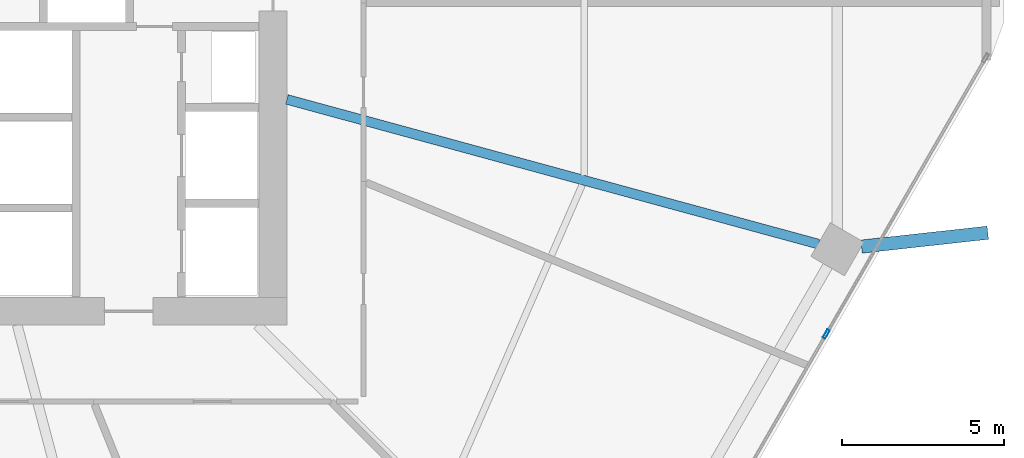
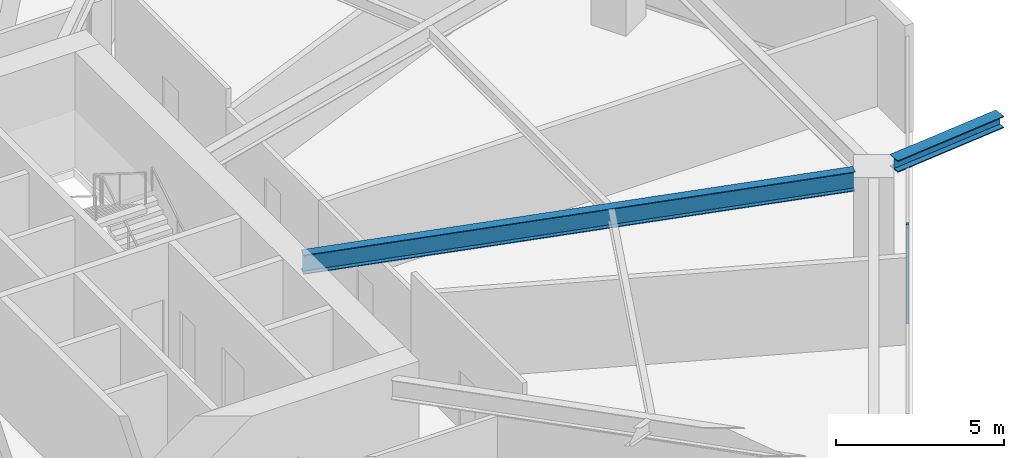
# One storey, part 11 of 25: 2 beams, 1 member, 1 element without a shape of its own.
"""IFC4 building model written with IfcOpenShell, lengths in metres."""

from ifc_helpers import new_model, si_unit, direction, frame, origin, origin_2d, place, context, subcontext, project, spatial, hollow_rectangle, i_section, extrude, material, material_profile, profile_set, type_object, element, aggregate, save


model = new_model("IFC4")

# Units and contexts
model_context = context("Model", 3, precision=1e-05, world=origin(), true_north=direction((0.0, 1.0)))
body_context = subcontext(model_context, "Body", "Model", "MODEL_VIEW")
ifc_project = project(units=[si_unit("LENGTHUNIT", "METRE"), si_unit("AREAUNIT", "SQUARE_METRE"), si_unit("VOLUMEUNIT", "CUBIC_METRE"), si_unit("PLANEANGLEUNIT", "RADIAN"), si_unit("MASSUNIT", "GRAM", prefix="KILO")], contexts=[model_context])

# Site, building, storey
site_placement = place(None, origin())
site = spatial("IfcSite", under=ifc_project, at=site_placement, CompositionType="ELEMENT")
building_placement = place(site_placement, origin())
building = spatial("IfcBuilding", under=site, at=building_placement, Name="Zuhravey Tower", CompositionType="ELEMENT")
storey_placement = place(building_placement, frame((0.0, 0.0, 70.800048828125)))
storey = spatial("IfcBuildingStorey", under=building, at=storey_placement, Name="L17", CompositionType="ELEMENT", Elevation=70.800048828125)

# Curtain wall, member
ifc_material_1 = material(Name="Thermally broken anodised aluminium", Category="aluminium")
curtain_wall_type = type_object("IfcCurtainWallType", Name="School Low-E Unitised Curtain Wall CW1", PredefinedType="NOTDEFINED", material=ifc_material_1)
curtain_wall_placement = place(storey_placement, origin())
curtain_wall = element("IfcCurtainWall", 1, at=curtain_wall_placement, inside=storey, type_object=curtain_wall_type, Name="L17 CW1 CW-L17-F6-1", PredefinedType="NOTDEFINED")
ifc_material_2 = material(Name="Anodised aluminium", Category="aluminium")
ifc_material_profile_1 = material_profile(ifc_material_2, hollow_rectangle(XDim=0.090087890625, YDim=0.284912109375, WallThickness=0.0048828125, at=origin_2d()), Name="ALU-RHS-90x285x5")
ifc_profile_set_1 = profile_set([ifc_material_profile_1], Name="Anodised aluminium")
member_type = type_object("IfcMemberType", Name="Curtain-Wall Mullion 90x180", PredefinedType="MULLION", material=ifc_profile_set_1)
member_placement = place(storey_placement, frame((63.54541015625, 21.79296875, 0.0), z_axis=(0.0, 0.0, 1.0), x_axis=(0.86602552265, -0.499999794119, 0.0)))
member = element("IfcMember", 2, at=member_placement, type_object=member_type, Name="CW1 mullion 2", PredefinedType="MULLION", context=body_context, shape_type="SweptSolid", body=[
    extrude(hollow_rectangle(XDim=0.090087890625, YDim=0.284912109375, WallThickness=0.0048828125, at=origin_2d()), origin(), (0.0, 0.0, 1.0), 3.491943359375),
])
aggregate(curtain_wall, [member])

# Beams
ifc_material_3 = material(Name="Steel SM460", Category="steel")
ifc_material_profile_2 = material_profile(ifc_material_3, i_section(OverallWidth=0.406982421875, OverallDepth=0.427978515625, WebThickness=0.02001953125, FlangeThickness=0.034912109375, at=origin_2d()), Name="H-428x407x20x35")
ifc_profile_set_2 = profile_set([ifc_material_profile_2], Name="Steel SM460")
beam_type_1 = type_object("IfcBeamType", Name="Exoskeleton Node Tie Beam H428x407", PredefinedType="BEAM", material=ifc_profile_set_2)
beam_1_placement = place(storey_placement, frame((64.6328125, 24.490234375, 3.7060546875), z_axis=(0.994007881498, 0.109308423825, 0.0), x_axis=(-0.109308423825, 0.994007881498, 0.0)))
element("IfcBeam", 3, at=beam_1_placement, inside=storey, type_object=beam_type_1, Name="L17 Exoskeleton Node Tie NT1-12", PredefinedType="BEAM", context=body_context, shape_type="SweptSolid", body=[
    extrude(i_section(OverallWidth=0.406982421875, OverallDepth=0.427978515625, WebThickness=0.02001953125, FlangeThickness=0.034912109375, at=origin_2d()), origin(), (0.0, 0.0, 1.0), 3.9130859375),
])
ifc_material_4 = material(Name="Steel SM355", Category="steel")
ifc_material_profile_3 = material_profile(ifc_material_4, i_section(OverallWidth=0.300048828125, OverallDepth=0.699951171875, WebThickness=0.012939453125, FlangeThickness=0.02392578125, at=origin_2d()), Name="H-700x300x13x24")
ifc_profile_set_3 = profile_set([ifc_material_profile_3], Name="Steel SM355")
beam_type_2 = type_object("IfcBeamType", Name="Radial Primary Girder H700x300", PredefinedType="BEAM", material=ifc_profile_set_3)
beam_2_placement = place(storey_placement, frame((46.927978515625, 29.025390625, 3.570068359375), z_axis=(0.964892480455, -0.26264520015, 0.0), x_axis=(0.26264520015, 0.964892480455, 0.0)))
element("IfcBeam", 4, at=beam_2_placement, inside=storey, type_object=beam_type_2, Name="L17 RG1 BM-L17-RAD-12", PredefinedType="BEAM", context=body_context, shape_type="SweptSolid", body=[
    extrude(i_section(OverallWidth=0.300048828125, OverallDepth=0.699951171875, WebThickness=0.012939453125, FlangeThickness=0.02392578125, at=origin_2d()), origin(), (0.0, 0.0, 1.0), 16.975341796875),
])

save(model, "model.ifc")
